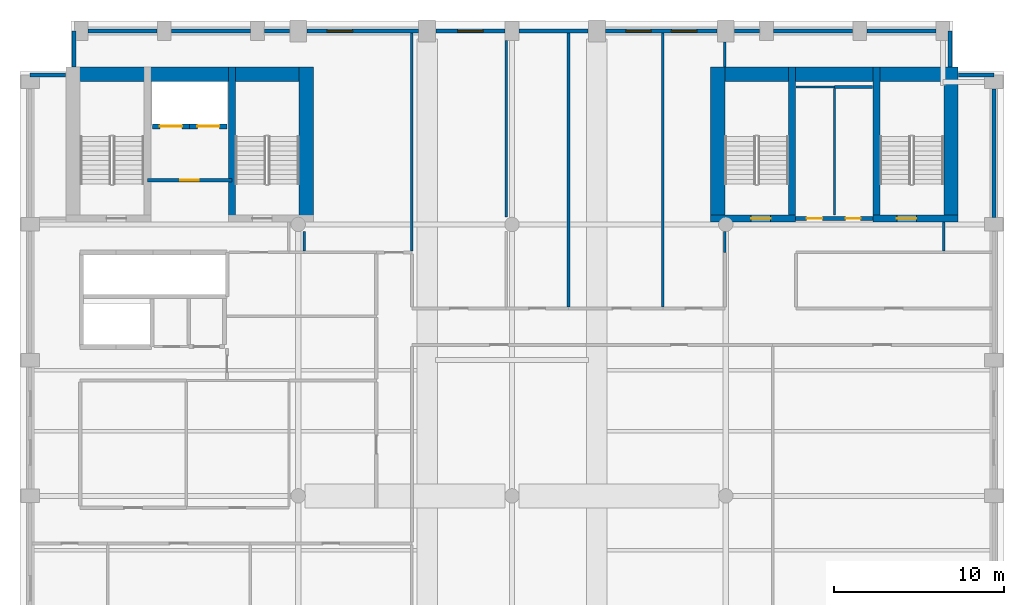
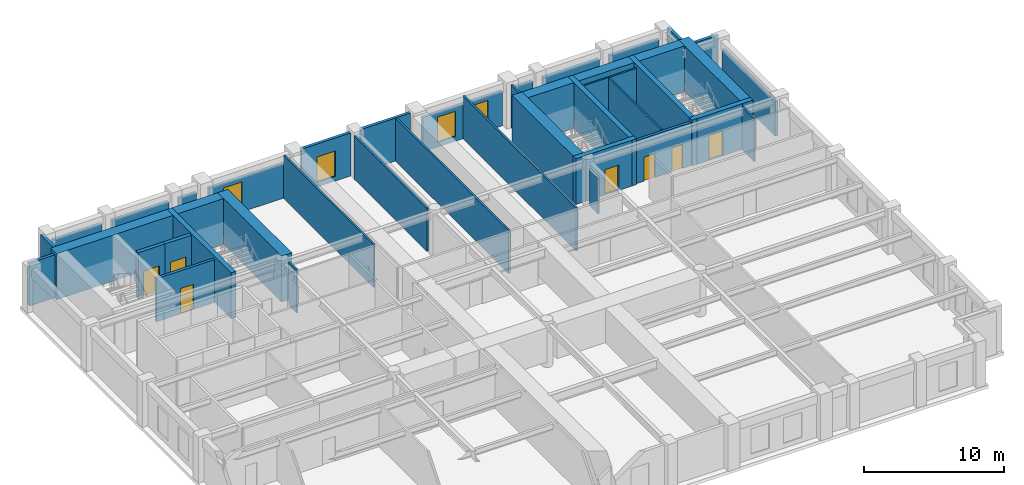
# One storey, part 5 of 8: 40 walls, 7 doors, 4 windows, 11 openings.
"""IFC4 building model written with IfcOpenShell, lengths in metres."""

from ifc_helpers import new_model, si_unit, direction, frame, frame_2d, origin, place, context, subcontext, project, spatial, rectangle, extrude, material, layer, layer_set, type_object, element, fill, save


model = new_model("IFC4")

# Units and contexts
model_context = context("Model", 3, precision=1e-05, world=origin(), true_north=direction((0.0, 1.0)))
body_context = subcontext(model_context, "Body", "Model", "MODEL_VIEW")
ifc_project = project(units=[si_unit("LENGTHUNIT", "METRE"), si_unit("AREAUNIT", "SQUARE_METRE"), si_unit("VOLUMEUNIT", "CUBIC_METRE"), si_unit("PLANEANGLEUNIT", "RADIAN"), si_unit("MASSUNIT", "GRAM", prefix="KILO")], contexts=[model_context])

# Site, building, storey
site_placement = place(None, origin())
site = spatial("IfcSite", under=ifc_project, at=site_placement, CompositionType="ELEMENT")
building_placement = place(site_placement, origin())
building = spatial("IfcBuilding", under=site, at=building_placement, Name="Sulina Concourse Tower", CompositionType="ELEMENT")
storey_placement = place(building_placement, frame((0.0, 0.0, 178.60009765625)))
storey = spatial("IfcBuildingStorey", under=building, at=storey_placement, Name="L43", CompositionType="ELEMENT", Elevation=178.60009765625)

# Wall, opening, door
ifc_material_1 = material(Name="Concrete C50/60", Category="concrete")
ifc_layer_1 = layer(ifc_material_1, 0.300048828125)
ifc_layer_set_1 = layer_set([ifc_layer_1], Name="Concrete C50/60")
wall_type_1 = type_object("IfcWallType", Name="Core Lift Hoistway Wall 300mm", PredefinedType="SOLIDWALL", material=ifc_layer_set_1)
wall_1_placement = place(storey_placement, frame((10.0, 39.780029296875, 0.0), z_axis=(0.0, 0.0, 1.0), x_axis=(-1.0, 0.0, 0.0)))
wall_1 = element("IfcWall", 1, at=wall_1_placement, inside=storey, type_object=wall_type_1, Name="L43 hoistway enclosure wall FFL-1", PredefinedType="SOLIDWALL", context=body_context, shape_type="SweptSolid", body=[
    extrude(rectangle(XDim=2.199951171875, YDim=0.300048828125, at=frame_2d((1.10009765625, 0.0))), origin(), (0.0, 0.0, 1.0), 4.0),
])
opening_1_placement = place(wall_1_placement, frame((0.449951171875, 0.0, 0.0)))
opening_1 = element("IfcOpeningElement", 2, at=opening_1_placement, cuts=wall_1, Name="Opening LD-02", PredefinedType="OPENING", context=body_context, shape_type="SweptSolid", body=[
    extrude(rectangle(XDim=1.300048828125, YDim=2.25, at=frame_2d((0.64990234375, 1.125))), frame((0.0, 0.159912109375, 0.0), z_axis=(0.0, -1.0, 0.0), x_axis=(1.0, 0.0, 0.0)), (0.0, 0.0, 1.0), 0.320068359375),
])
ifc_material_2 = material(Name="Stainless steel lift landing door", Category="steel")
ifc_layer_2 = layer(ifc_material_2, 0.050048828125)
ifc_layer_set_2 = layer_set([ifc_layer_2], Name="Stainless steel lift landing door")
door_type_1 = type_object("IfcDoorType", Name="Firefighting Lift Sliding Landing Door 1300x2250", OperationType="SLIDING_TO_RIGHT", PredefinedType="DOOR", material=ifc_layer_set_2)
door_1_placement = place(opening_1_placement, origin())
door_1 = element("IfcDoor", 3, at=door_1_placement, inside=storey, type_object=door_type_1, Name="L43 lift landing sliding door FFL-1", OperationType="SLIDING_TO_LEFT", OverallHeight=2.25, OverallWidth=1.300048828125, PredefinedType="DOOR", context=body_context, shape_type="SweptSolid", body=[
    extrude(rectangle(XDim=1.300048828125, YDim=2.25, at=frame_2d((0.64990234375, 1.125))), frame((0.0, 0.02490234375, 0.0), z_axis=(0.0, -1.0, 0.0), x_axis=(1.0, 0.0, 0.0)), (0.0, 0.0, 1.0), 0.050048828125),
])
fill(opening_1, door_1)

wall_2_placement = place(storey_placement, frame((12.199951171875, 39.780029296875, 0.0), z_axis=(0.0, 0.0, 1.0), x_axis=(-1.0, 0.0, 0.0)))
wall_2 = element("IfcWall", 4, at=wall_2_placement, inside=storey, type_object=wall_type_1, Name="L43 hoistway enclosure wall FFL-2", PredefinedType="SOLIDWALL", context=body_context, shape_type="SweptSolid", body=[
    extrude(rectangle(XDim=2.199951171875, YDim=0.300048828125, at=frame_2d((1.10009765625, 0.0))), origin(), (0.0, 0.0, 1.0), 4.0),
])
opening_2_placement = place(wall_2_placement, frame((0.449951171875, 0.0, 0.0)))
opening_2 = element("IfcOpeningElement", 5, at=opening_2_placement, cuts=wall_2, Name="Opening LD-02", PredefinedType="OPENING", context=body_context, shape_type="SweptSolid", body=[
    extrude(rectangle(XDim=1.300048828125, YDim=2.25, at=frame_2d((0.64990234375, 1.125))), frame((0.0, 0.159912109375, 0.0), z_axis=(0.0, -1.0, 0.0), x_axis=(1.0, 0.0, 0.0)), (0.0, 0.0, 1.0), 0.320068359375),
])
door_2_placement = place(opening_2_placement, origin())
door_2 = element("IfcDoor", 6, at=door_2_placement, inside=storey, type_object=door_type_1, Name="L43 lift landing sliding door FFL-2", OperationType="SLIDING_TO_RIGHT", OverallHeight=2.25, OverallWidth=1.300048828125, PredefinedType="DOOR", context=body_context, shape_type="SweptSolid", body=[
    extrude(rectangle(XDim=1.300048828125, YDim=2.25, at=frame_2d((0.64990234375, 1.125))), frame((0.0, 0.02490234375, 0.0), z_axis=(0.0, -1.0, 0.0), x_axis=(1.0, 0.0, 0.0)), (0.0, 0.0, 1.0), 0.050048828125),
])
fill(opening_2, door_2)

# Walls
ifc_material_3 = material(Name="Precast concrete C50/60", Category="concrete")
ifc_layer_3 = layer(ifc_material_3, 0.239990234375)
ifc_layer_set_3 = layer_set([ifc_layer_3], Name="Precast concrete C50/60")
wall_type_2 = type_object("IfcWallType", Name="Crown Precast Masonry-Frame Facade Wall 240mm", PredefinedType="SOLIDWALL", material=ifc_layer_set_3)
wall_3_placement = place(storey_placement, frame((4.02001953125, 45.39990234375, 0.0), z_axis=(0.0, 0.0, 1.0), x_axis=(1.0, 0.0, 0.0)))
element("IfcWall", 7, at=wall_3_placement, inside=storey, type_object=wall_type_2, Name="L43 exterior precast wall N1", PredefinedType="SOLIDWALL", context=body_context, shape_type="SweptSolid", body=[
    extrude(rectangle(XDim=4.06005859375, YDim=0.239990234375, at=frame_2d((2.030029296875, 0.0))), origin(), (0.0, 0.0, 1.0), 3.0),
])
wall_4_placement = place(storey_placement, frame((8.919921875, 45.39990234375, 0.0), z_axis=(0.0, 0.0, 1.0), x_axis=(1.0, 0.0, 0.0)))
element("IfcWall", 8, at=wall_4_placement, inside=storey, type_object=wall_type_2, Name="L43 exterior precast wall N2", PredefinedType="SOLIDWALL", context=body_context, shape_type="SweptSolid", body=[
    extrude(rectangle(XDim=4.66015625, YDim=0.239990234375, at=frame_2d((2.330078125, 0.0))), origin(), (0.0, 0.0, 1.0), 3.0),
])
wall_5_placement = place(storey_placement, frame((14.419921875, 45.39990234375, 0.0), z_axis=(0.0, 0.0, 1.0), x_axis=(1.0, 0.0, 0.0)))
element("IfcWall", 9, at=wall_5_placement, inside=storey, type_object=wall_type_2, Name="L43 exterior precast wall N3", PredefinedType="SOLIDWALL", context=body_context, shape_type="SweptSolid", body=[
    extrude(rectangle(XDim=1.4599609375, YDim=0.239990234375, at=frame_2d((0.72998046875, 0.0))), origin(), (0.0, 0.0, 1.0), 3.0),
])

# Wall, opening, window
wall_6_placement = place(storey_placement, frame((16.919921875, 45.39990234375, 0.0), z_axis=(0.0, 0.0, 1.0), x_axis=(1.0, 0.0, 0.0)))
wall_6 = element("IfcWall", 10, at=wall_6_placement, inside=storey, type_object=wall_type_2, Name="L43 exterior precast wall N4", PredefinedType="SOLIDWALL", context=body_context, shape_type="SweptSolid", body=[
    extrude(rectangle(XDim=6.56005859375, YDim=0.239990234375, at=frame_2d((3.280029296875, 0.0))), origin(), (0.0, 0.0, 1.0), 3.0),
])
opening_3_placement = place(wall_6_placement, frame((1.186767578125, 0.0, 0.419921875)))
opening_3 = element("IfcOpeningElement", 11, at=opening_3_placement, cuts=wall_6, Name="Opening WN-71", PredefinedType="OPENING", context=body_context, shape_type="SweptSolid", body=[
    extrude(rectangle(XDim=1.5, YDim=2.199951171875, at=frame_2d((0.75, 1.10009765625))), frame((0.0, 0.1298828125, 0.0), z_axis=(0.0, -1.0, 0.0), x_axis=(1.0, 0.0, 0.0)), (0.0, 0.0, 1.0), 0.260009765625),
])
ifc_material_4 = material(Name="Low-E solar double glazing in bronze aluminium", Category="aluminium")
window_type = type_object("IfcWindowType", Name="Punched Masonry-Frame Window 1500x2200", PartitioningType="SINGLE_PANEL", PredefinedType="WINDOW", material=ifc_material_4)
window_1_placement = place(opening_3_placement, origin())
window_1 = element("IfcWindow", 12, at=window_1_placement, inside=storey, type_object=window_type, Name="L43 punched window N4-1", OverallHeight=2.199951171875, OverallWidth=1.5, PartitioningType="SINGLE_PANEL", PredefinedType="WINDOW", context=body_context, shape_type="SweptSolid", body=[
    extrude(rectangle(XDim=1.5, YDim=2.199951171875, at=frame_2d((0.75, 1.10009765625))), frame((0.0, 0.030029296875, 0.0), z_axis=(0.0, -1.0, 0.0), x_axis=(1.0, 0.0, 0.0)), (0.0, 0.0, 1.0), 0.06005859375),
])
fill(opening_3, window_1)

wall_7_placement = place(storey_placement, frame((24.52001953125, 45.39990234375, 0.0), z_axis=(0.0, 0.0, 1.0), x_axis=(1.0, 0.0, 0.0)))
wall_7 = element("IfcWall", 13, at=wall_7_placement, inside=storey, type_object=wall_type_2, Name="L43 exterior precast wall N5", PredefinedType="SOLIDWALL", context=body_context, shape_type="SweptSolid", body=[
    extrude(rectangle(XDim=4.06005859375, YDim=0.239990234375, at=frame_2d((2.030029296875, 0.0))), origin(), (0.0, 0.0, 1.0), 3.75),
])
opening_4_placement = place(wall_7_placement, frame((1.280029296875, 0.0, 0.419921875)))
opening_4 = element("IfcOpeningElement", 14, at=opening_4_placement, cuts=wall_7, Name="Opening WN-71", PredefinedType="OPENING", context=body_context, shape_type="SweptSolid", body=[
    extrude(rectangle(XDim=1.5, YDim=2.199951171875, at=frame_2d((0.75, 1.10009765625))), frame((0.0, 0.1298828125, 0.0), z_axis=(0.0, -1.0, 0.0), x_axis=(1.0, 0.0, 0.0)), (0.0, 0.0, 1.0), 0.260009765625),
])
window_2_placement = place(opening_4_placement, origin())
window_2 = element("IfcWindow", 15, at=window_2_placement, inside=storey, type_object=window_type, Name="L43 punched window N5-1", OverallHeight=2.199951171875, OverallWidth=1.5, PartitioningType="SINGLE_PANEL", PredefinedType="WINDOW", context=body_context, shape_type="SweptSolid", body=[
    extrude(rectangle(XDim=1.5, YDim=2.199951171875, at=frame_2d((0.75, 1.10009765625))), frame((0.0, 0.030029296875, 0.0), z_axis=(0.0, -1.0, 0.0), x_axis=(1.0, 0.0, 0.0)), (0.0, 0.0, 1.0), 0.06005859375),
])
fill(opening_4, window_2)

# Wall
wall_8_placement = place(storey_placement, frame((29.419921875, 45.39990234375, 0.0), z_axis=(0.0, 0.0, 1.0), x_axis=(1.0, 0.0, 0.0)))
element("IfcWall", 16, at=wall_8_placement, inside=storey, type_object=wall_type_2, Name="L43 exterior precast wall N6", PredefinedType="SOLIDWALL", context=body_context, shape_type="SweptSolid", body=[
    extrude(rectangle(XDim=4.06005859375, YDim=0.239990234375, at=frame_2d((2.030029296875, 0.0))), origin(), (0.0, 0.0, 1.0), 3.75),
])

# Wall, openings, windows
wall_9_placement = place(storey_placement, frame((34.52001953125, 45.39990234375, 0.0), z_axis=(0.0, 0.0, 1.0), x_axis=(1.0, 0.0, 0.0)))
wall_9 = element("IfcWall", 17, at=wall_9_placement, inside=storey, type_object=wall_type_2, Name="L43 exterior precast wall N7", PredefinedType="SOLIDWALL", context=body_context, shape_type="SweptSolid", body=[
    extrude(rectangle(XDim=6.56005859375, YDim=0.239990234375, at=frame_2d((3.280029296875, 0.0))), origin(), (0.0, 0.0, 1.0), 3.0),
])
opening_5_placement = place(wall_9_placement, frame((1.186767578125, 0.0, 0.419921875)))
opening_5 = element("IfcOpeningElement", 18, at=opening_5_placement, cuts=wall_9, Name="Opening WN-71", PredefinedType="OPENING", context=body_context, shape_type="SweptSolid", body=[
    extrude(rectangle(XDim=1.5, YDim=2.199951171875, at=frame_2d((0.75, 1.10009765625))), frame((0.0, 0.1298828125, 0.0), z_axis=(0.0, -1.0, 0.0), x_axis=(1.0, 0.0, 0.0)), (0.0, 0.0, 1.0), 0.260009765625),
])
opening_6_placement = place(wall_9_placement, frame((3.873291015625, 0.0, 0.419921875)))
opening_6 = element("IfcOpeningElement", 19, at=opening_6_placement, cuts=wall_9, Name="Opening WN-71", PredefinedType="OPENING", context=body_context, shape_type="SweptSolid", body=[
    extrude(rectangle(XDim=1.5, YDim=2.199951171875, at=frame_2d((0.75, 1.10009765625))), frame((0.0, 0.1298828125, 0.0), z_axis=(0.0, -1.0, 0.0), x_axis=(1.0, 0.0, 0.0)), (0.0, 0.0, 1.0), 0.260009765625),
])
window_3_placement = place(opening_5_placement, origin())
window_3 = element("IfcWindow", 20, at=window_3_placement, inside=storey, type_object=window_type, Name="L43 punched window N7-1", OverallHeight=2.199951171875, OverallWidth=1.5, PartitioningType="SINGLE_PANEL", PredefinedType="WINDOW", context=body_context, shape_type="SweptSolid", body=[
    extrude(rectangle(XDim=1.5, YDim=2.199951171875, at=frame_2d((0.75, 1.10009765625))), frame((0.0, 0.030029296875, 0.0), z_axis=(0.0, -1.0, 0.0), x_axis=(1.0, 0.0, 0.0)), (0.0, 0.0, 1.0), 0.06005859375),
])
fill(opening_5, window_3)
window_4_placement = place(opening_6_placement, origin())
window_4 = element("IfcWindow", 21, at=window_4_placement, inside=storey, type_object=window_type, Name="L43 punched window N7-2", OverallHeight=2.199951171875, OverallWidth=1.5, PartitioningType="SINGLE_PANEL", PredefinedType="WINDOW", context=body_context, shape_type="SweptSolid", body=[
    extrude(rectangle(XDim=1.5, YDim=2.199951171875, at=frame_2d((0.75, 1.10009765625))), frame((0.0, 0.030029296875, 0.0), z_axis=(0.0, -1.0, 0.0), x_axis=(1.0, 0.0, 0.0)), (0.0, 0.0, 1.0), 0.06005859375),
])
fill(opening_6, window_4)

# Walls
wall_10_placement = place(storey_placement, frame((42.1201171875, 45.39990234375, 0.0), z_axis=(0.0, 0.0, 1.0), x_axis=(1.0, 0.0, 0.0)))
element("IfcWall", 22, at=wall_10_placement, inside=storey, type_object=wall_type_2, Name="L43 exterior precast wall N8", PredefinedType="SOLIDWALL", context=body_context, shape_type="SweptSolid", body=[
    extrude(rectangle(XDim=1.4599609375, YDim=0.239990234375, at=frame_2d((0.72998046875, 0.0))), origin(), (0.0, 0.0, 1.0), 3.0),
])
wall_11_placement = place(storey_placement, frame((44.419921875, 45.39990234375, 0.0), z_axis=(0.0, 0.0, 1.0), x_axis=(1.0, 0.0, 0.0)))
element("IfcWall", 23, at=wall_11_placement, inside=storey, type_object=wall_type_2, Name="L43 exterior precast wall N9", PredefinedType="SOLIDWALL", context=body_context, shape_type="SweptSolid", body=[
    extrude(rectangle(XDim=4.66015625, YDim=0.239990234375, at=frame_2d((2.330078125, 0.0))), origin(), (0.0, 0.0, 1.0), 3.0),
])
wall_12_placement = place(storey_placement, frame((49.919921875, 45.39990234375, 0.0), z_axis=(0.0, 0.0, 1.0), x_axis=(1.0, 0.0, 0.0)))
element("IfcWall", 24, at=wall_12_placement, inside=storey, type_object=wall_type_2, Name="L43 exterior precast wall N10", PredefinedType="SOLIDWALL", context=body_context, shape_type="SweptSolid", body=[
    extrude(rectangle(XDim=4.06005859375, YDim=0.239990234375, at=frame_2d((2.030029296875, 0.0))), origin(), (0.0, 0.0, 1.0), 3.0),
])
wall_13_placement = place(storey_placement, frame((57.39990234375, 41.97998046875, 0.0), z_axis=(0.0, 0.0, 1.0), x_axis=(0.0, -1.0, 0.0)))
element("IfcWall", 25, at=wall_13_placement, inside=storey, type_object=wall_type_2, Name="L43 exterior precast wall E5", PredefinedType="SOLIDWALL", context=body_context, shape_type="SweptSolid", body=[
    extrude(rectangle(XDim=7.56005859375, YDim=0.239990234375, at=frame_2d((3.780029296875, 0.0))), origin(), (0.0, 0.0, 1.0), 3.0),
])
wall_14_placement = place(storey_placement, frame((0.60009765625, 42.820068359375, 0.0), z_axis=(0.0, 0.0, 1.0), x_axis=(1.0, 0.0, 0.0)))
element("IfcWall", 26, at=wall_14_placement, inside=storey, type_object=wall_type_2, Name="L43 exterior precast wall CNW1", PredefinedType="SOLIDWALL", context=body_context, shape_type="SweptSolid", body=[
    extrude(rectangle(XDim=2.094970703125, YDim=0.239990234375, at=frame_2d((1.04736328125, 0.0))), origin(), (0.0, 0.0, 1.0), 3.75),
])
for number, where, z_axis, x_axis, name in (
    (27, (3.179931640625, 43.284912109375, 0.0), (0.0, 0.0, 1.0), (0.0, 1.0, 0.0), "L43 exterior precast wall CNW2"),
    (28, (54.820068359375, 45.39990234375, 0.0), (0.0, 0.0, 1.0), (0.0, -1.0, 0.0), "L43 exterior precast wall CNE1"),
):
    element("IfcWall", number, at=place(storey_placement, frame(where, z_axis=z_axis, x_axis=x_axis)), inside=storey, type_object=wall_type_2, Name=name, PredefinedType="SOLIDWALL", context=body_context, shape_type="SweptSolid", body=[
        extrude(rectangle(XDim=2.114990234375, YDim=0.239990234375, at=frame_2d((1.0576171875, 0.0))), origin(), (0.0, 0.0, 1.0), 3.75),
    ])
wall_15_placement = place(storey_placement, frame((55.304931640625, 42.820068359375, 0.0), z_axis=(0.0, 0.0, 1.0), x_axis=(1.0, 0.0, 0.0)))
element("IfcWall", 29, at=wall_15_placement, inside=storey, type_object=wall_type_2, Name="L43 exterior precast wall CNE2", PredefinedType="SOLIDWALL", context=body_context, shape_type="SweptSolid", body=[
    extrude(rectangle(XDim=2.094970703125, YDim=0.239990234375, at=frame_2d((1.04736328125, 0.0))), origin(), (0.0, 0.0, 1.0), 3.75),
])

# Wall, opening, door
ifc_material_5 = material(Name="Gypsum board on steel stud", Category="steel")
ifc_layer_4 = layer(ifc_material_5, 0.219970703125)
ifc_layer_set_4 = layer_set([ifc_layer_4], Name="Gypsum board on steel stud")
wall_type_3 = type_object("IfcWallType", Name="Fire-Rated Lobby & Compartment Wall 220mm", PredefinedType="PARTITIONING", material=ifc_layer_set_4)
wall_16_placement = place(storey_placement, frame((7.510009765625, 36.60009765625, 0.0), z_axis=(0.0, 0.0, 1.0), x_axis=(1.0, 0.0, 0.0)))
wall_16 = element("IfcWall", 30, at=wall_16_placement, inside=storey, type_object=wall_type_3, Name="L43 firefighting lobby south fire wall", PredefinedType="PARTITIONING", context=body_context, shape_type="SweptSolid", body=[
    extrude(rectangle(XDim=4.97998046875, YDim=0.219970703125, at=frame_2d((2.489990234375, 0.0))), origin(), (0.0, 0.0, 1.0), 3.75),
])
opening_7_placement = place(wall_16_placement, frame((1.93994140625, 0.0, 0.0)))
opening_7 = element("IfcOpeningElement", 31, at=opening_7_placement, cuts=wall_16, Name="Opening DR-47", PredefinedType="OPENING", context=body_context, shape_type="SweptSolid", body=[
    extrude(rectangle(XDim=1.10009765625, YDim=2.199951171875, at=frame_2d((0.550048828125, 1.10009765625))), frame((0.0, 0.119873046875, 0.0), z_axis=(0.0, -1.0, 0.0), x_axis=(1.0, 0.0, 0.0)), (0.0, 0.0, 1.0), 0.239990234375),
])
ifc_material_6 = material(Name="Galvanised steel acoustic fire leaf", Category="steel")
ifc_layer_5 = layer(ifc_material_6, 0.054931640625)
ifc_layer_set_5 = layer_set([ifc_layer_5], Name="Galvanised steel acoustic fire leaf")
door_type_2 = type_object("IfcDoorType", Name="Firefighting Lobby Fire Door 1100x2200", OperationType="NOTDEFINED", PredefinedType="DOOR", material=ifc_layer_set_5)
door_3_placement = place(opening_7_placement, origin())
door_3 = element("IfcDoor", 32, at=door_3_placement, inside=storey, type_object=door_type_2, Name="L43 firefighting lobby fire door", OperationType="SINGLE_SWING_RIGHT", OverallHeight=2.199951171875, OverallWidth=1.10009765625, PredefinedType="DOOR", context=body_context, shape_type="SweptSolid", body=[
    extrude(rectangle(XDim=1.10009765625, YDim=2.199951171875, at=frame_2d((0.550048828125, 1.10009765625))), frame((0.0, 0.02490234375, 0.0), z_axis=(0.0, -1.0, 0.0), x_axis=(1.0, 0.0, 0.0)), (0.0, 0.0, 1.0), 0.050048828125),
])
fill(opening_7, door_3)

# Wall, openings, doors
wall_17_placement = place(storey_placement, frame((45.719970703125, 34.35009765625, 0.0), z_axis=(0.0, 0.0, 1.0), x_axis=(1.0, 0.0, 0.0)))
wall_17 = element("IfcWall", 33, at=wall_17_placement, inside=storey, type_object=wall_type_3, Name="L43 east core south lobby wall", PredefinedType="PARTITIONING", context=body_context, shape_type="SweptSolid", body=[
    extrude(rectangle(XDim=4.56005859375, YDim=0.219970703125, at=frame_2d((2.280029296875, 0.0))), origin(), (0.0, 0.0, 1.0), 3.75),
])
opening_8_placement = place(wall_17_placement, frame((0.64990234375, 0.0, 0.0)))
opening_8 = element("IfcOpeningElement", 34, at=opening_8_placement, cuts=wall_17, Name="Opening DR-61", PredefinedType="OPENING", context=body_context, shape_type="SweptSolid", body=[
    extrude(rectangle(XDim=0.919921875, YDim=2.10009765625, at=frame_2d((0.4599609375, 1.050048828125))), frame((0.0, 0.119873046875, 0.0), z_axis=(0.0, -1.0, 0.0), x_axis=(1.0, 0.0, 0.0)), (0.0, 0.0, 1.0), 0.239990234375),
])
opening_9_placement = place(wall_17_placement, frame((2.949951171875, 0.0, 0.0)))
opening_9 = element("IfcOpeningElement", 35, at=opening_9_placement, cuts=wall_17, Name="Opening DR-38", PredefinedType="OPENING", context=body_context, shape_type="SweptSolid", body=[
    extrude(rectangle(XDim=0.8798828125, YDim=2.10009765625, at=frame_2d((0.43994140625, 1.050048828125))), frame((0.0, 0.119873046875, 0.0), z_axis=(0.0, -1.0, 0.0), x_axis=(1.0, 0.0, 0.0)), (0.0, 0.0, 1.0), 0.239990234375),
])
ifc_material_7 = material(Name="Oak-veneered fire door leaf")
ifc_layer_6 = layer(ifc_material_7, 0.050048828125)
ifc_layer_set_6 = layer_set([ifc_layer_6], Name="Oak-veneered fire door leaf")
door_type_3 = type_object("IfcDoorType", Name="Accessible WC Door 920x2100", OperationType="NOTDEFINED", PredefinedType="DOOR", material=ifc_layer_set_6)
door_4_placement = place(opening_8_placement, origin())
door_4 = element("IfcDoor", 36, at=door_4_placement, inside=storey, type_object=door_type_3, Name="L43 east core accessible wc door", OperationType="SINGLE_SWING_RIGHT", OverallHeight=2.10009765625, OverallWidth=0.919921875, PredefinedType="DOOR", context=body_context, shape_type="SweptSolid", body=[
    extrude(rectangle(XDim=0.919921875, YDim=2.10009765625, at=frame_2d((0.4599609375, 1.050048828125))), frame((0.0, 0.02490234375, 0.0), z_axis=(0.0, -1.0, 0.0), x_axis=(1.0, 0.0, 0.0)), (0.0, 0.0, 1.0), 0.050048828125),
])
fill(opening_8, door_4)
ifc_material_8 = material(Name="Galvanised steel acoustic fire leaf", Category="steel")
ifc_layer_7 = layer(ifc_material_8, 0.050048828125)
ifc_layer_set_7 = layer_set([ifc_layer_7], Name="Galvanised steel acoustic fire leaf")
door_type_4 = type_object("IfcDoorType", Name="Service Riser Fire Door 880x2100", OperationType="NOTDEFINED", PredefinedType="DOOR", material=ifc_layer_set_7)
door_5_placement = place(opening_9_placement, origin())
door_5 = element("IfcDoor", 37, at=door_5_placement, inside=storey, type_object=door_type_4, Name="L43 east core store door", OperationType="SINGLE_SWING_LEFT", OverallHeight=2.10009765625, OverallWidth=0.8798828125, PredefinedType="DOOR", context=body_context, shape_type="SweptSolid", body=[
    extrude(rectangle(XDim=0.8798828125, YDim=2.10009765625, at=frame_2d((0.43994140625, 1.050048828125))), frame((0.0, 0.02490234375, 0.0), z_axis=(0.0, -1.0, 0.0), x_axis=(1.0, 0.0, 0.0)), (0.0, 0.0, 1.0), 0.050048828125),
])
fill(opening_9, door_5)

# Walls
ifc_material_9 = material(Name="Gypsum board on steel stud", Category="steel")
ifc_layer_8 = layer(ifc_material_9, 0.14990234375)
ifc_layer_set_8 = layer_set([ifc_layer_8], Name="Gypsum board on steel stud")
wall_type_4 = type_object("IfcWallType", Name="Inter-Tenancy Acoustic Partition 150mm", PredefinedType="PARTITIONING", material=ifc_layer_set_8)
wall_18_placement = place(storey_placement, frame((48.0, 42.10009765625, 0.0), z_axis=(0.0, 0.0, 1.0), x_axis=(1.0, 0.0, 0.0)))
element("IfcWall", 38, at=wall_18_placement, inside=storey, type_object=wall_type_4, Name="L43 interior partition 029", PredefinedType="PARTITIONING", context=body_context, shape_type="SweptSolid", body=[
    extrude(rectangle(XDim=2.25, YDim=0.14990234375, at=frame_2d((1.125, 0.0))), origin(), (0.0, 0.0, 1.0), 3.75),
])
wall_19_placement = place(storey_placement, frame((16.75, 32.425048828125, 0.0), z_axis=(0.0, 0.0, 1.0), x_axis=(0.0, 1.0, 0.0)))
element("IfcWall", 39, at=wall_19_placement, inside=storey, type_object=wall_type_4, Name="L43 interior partition 039", PredefinedType="PARTITIONING", context=body_context, shape_type="SweptSolid", body=[
    extrude(rectangle(XDim=1.14990234375, YDim=0.14990234375, at=frame_2d((0.574951171875, 0.0))), origin(), (0.0, 0.0, 1.0), 3.75),
])
wall_20_placement = place(storey_placement, frame((23.10009765625, 32.43994140625, 0.0), z_axis=(0.0, 0.0, 1.0), x_axis=(0.0, 1.0, 0.0)))
element("IfcWall", 40, at=wall_20_placement, inside=storey, type_object=wall_type_4, Name="L43 interior partition 047", PredefinedType="PARTITIONING", context=body_context, shape_type="SweptSolid", body=[
    extrude(rectangle(XDim=12.840087890625, YDim=0.14990234375, at=frame_2d((6.419921875, 0.0))), origin(), (0.0, 0.0, 1.0), 3.75),
])
wall_21_placement = place(storey_placement, frame((28.659912109375, 34.425048828125, 0.0), z_axis=(0.0, 0.0, 1.0), x_axis=(0.0, 1.0, 0.0)))
element("IfcWall", 41, at=wall_21_placement, inside=storey, type_object=wall_type_4, Name="L43 interior partition 049", PredefinedType="PARTITIONING", context=body_context, shape_type="SweptSolid", body=[
    extrude(rectangle(XDim=10.425048828125, YDim=0.14990234375, at=frame_2d((5.21240234375, 0.0))), origin(), (0.0, 0.0, 1.0), 3.75),
])
for number, where, z_axis, x_axis, name in (
    (42, (32.330078125, 29.139892578125, 0.0), (0.0, 0.0, 1.0), (0.0, 1.0, 0.0), "L43 interior partition 050"),
    (43, (37.889892578125, 29.139892578125, 0.0), (0.0, 0.0, 1.0), (0.0, 1.0, 0.0), "L43 interior partition 051"),
):
    element("IfcWall", number, at=place(storey_placement, frame(where, z_axis=z_axis, x_axis=x_axis)), inside=storey, type_object=wall_type_4, Name=name, PredefinedType="PARTITIONING", context=body_context, shape_type="SweptSolid", body=[
        extrude(rectangle(XDim=16.14013671875, YDim=0.14990234375, at=frame_2d((8.070068359375, 0.0))), origin(), (0.0, 0.0, 1.0), 3.75),
    ])
wall_22_placement = place(storey_placement, frame((41.550048828125, 32.35009765625, 0.0), z_axis=(0.0, 0.0, 1.0), x_axis=(0.0, 1.0, 0.0)))
element("IfcWall", 44, at=wall_22_placement, inside=storey, type_object=wall_type_4, Name="L43 interior partition 053", PredefinedType="PARTITIONING", context=body_context, shape_type="SweptSolid", body=[
    extrude(rectangle(XDim=1.224853515625, YDim=0.14990234375, at=frame_2d((0.6123046875, 0.0))), origin(), (0.0, 0.0, 1.0), 3.14501953125),
])
wall_23_placement = place(storey_placement, frame((41.550048828125, 43.280029296875, 0.0), z_axis=(0.0, 0.0, 1.0), x_axis=(0.0, 1.0, 0.0)))
element("IfcWall", 45, at=wall_23_placement, inside=storey, type_object=wall_type_4, Name="L43 interior partition 054", PredefinedType="PARTITIONING", context=body_context, shape_type="SweptSolid", body=[
    extrude(rectangle(XDim=1.469970703125, YDim=0.14990234375, at=frame_2d((0.73486328125, 0.0))), origin(), (0.0, 0.0, 1.0), 3.75),
])
wall_24_placement = place(storey_placement, frame((54.449951171875, 32.425048828125, 0.0), z_axis=(0.0, 0.0, 1.0), x_axis=(0.0, 1.0, 0.0)))
element("IfcWall", 46, at=wall_24_placement, inside=storey, type_object=wall_type_4, Name="L43 interior partition 058", PredefinedType="PARTITIONING", context=body_context, shape_type="SweptSolid", body=[
    extrude(rectangle(XDim=1.724853515625, YDim=0.14990234375, at=frame_2d((0.8623046875, 0.0))), origin(), (0.0, 0.0, 1.0), 3.75),
])
ifc_material_10 = material(Name="Concrete C60/75", Category="concrete")
ifc_layer_9 = layer(ifc_material_10, 0.39990234375)
ifc_layer_set_9 = layer_set([ifc_layer_9], Name="Concrete C60/75")
wall_type_5 = type_object("IfcWallType", Name="Protected Stair Core Shear Wall 400mm", PredefinedType="SHEAR", material=ifc_layer_set_9)
wall_25_placement = place(storey_placement, frame((12.489990234375, 34.14990234375, 0.0), z_axis=(0.0, 0.0, 1.0), x_axis=(0.0, 1.0, 0.0)))
element("IfcWall", 47, at=wall_25_placement, inside=storey, type_object=wall_type_5, Name="L43 west core shear wall SW-ST2", PredefinedType="SHEAR", context=body_context, shape_type="SweptSolid", body=[
    extrude(rectangle(XDim=9.130126953125, YDim=0.39990234375, at=frame_2d((4.56494140625, 0.0))), origin(), (0.0, 0.0, 1.0), 4.0),
])

# Wall, opening, door
wall_26_placement = place(storey_placement, frame((40.699951171875, 34.35009765625, 0.0), z_axis=(0.0, 0.0, 1.0), x_axis=(1.0, 0.0, 0.0)))
wall_26 = element("IfcWall", 48, at=wall_26_placement, inside=storey, type_object=wall_type_5, Name="L43 east core shear wall CW-ES1", PredefinedType="SHEAR", context=body_context, shape_type="SweptSolid", body=[
    extrude(rectangle(XDim=5.010009765625, YDim=0.39990234375, at=frame_2d((2.5048828125, 0.0))), origin(), (0.0, 0.0, 1.0), 4.0),
])
opening_10_placement = place(wall_26_placement, frame((2.39990234375, 0.0, 0.0)))
opening_10 = element("IfcOpeningElement", 49, at=opening_10_placement, cuts=wall_26, Name="Opening DR-60", PredefinedType="OPENING", context=body_context, shape_type="SweptSolid", body=[
    extrude(rectangle(XDim=1.14990234375, YDim=2.199951171875, at=frame_2d((0.574951171875, 1.10009765625))), frame((0.0, 0.2099609375, 0.0), z_axis=(0.0, -1.0, 0.0), x_axis=(1.0, 0.0, 0.0)), (0.0, 0.0, 1.0), 0.419921875),
])
ifc_material_11 = material(Name="Galvanised steel acoustic fire leaf", Category="steel")
ifc_layer_10 = layer(ifc_material_11, 0.054931640625)
ifc_layer_set_10 = layer_set([ifc_layer_10], Name="Galvanised steel acoustic fire leaf")
door_type_5 = type_object("IfcDoorType", Name="Protected Exit Stair Fire Door 1150x2200", OperationType="NOTDEFINED", PredefinedType="DOOR", material=ifc_layer_set_10)
door_6_placement = place(opening_10_placement, origin())
door_6 = element("IfcDoor", 50, at=door_6_placement, inside=storey, type_object=door_type_5, Name="L43 stair ST-3 south lobby fire door", OperationType="SINGLE_SWING_LEFT", OverallHeight=2.199951171875, OverallWidth=1.14990234375, PredefinedType="DOOR", context=body_context, shape_type="SweptSolid", body=[
    extrude(rectangle(XDim=1.14990234375, YDim=2.199951171875, at=frame_2d((0.574951171875, 1.10009765625))), frame((0.0, 0.02490234375, 0.0), z_axis=(0.0, -1.0, 0.0), x_axis=(1.0, 0.0, 0.0)), (0.0, 0.0, 1.0), 0.050048828125),
])
fill(opening_10, door_6)

# Wall
wall_27_placement = place(storey_placement, frame((45.510009765625, 34.14990234375, 0.0), z_axis=(0.0, 0.0, 1.0), x_axis=(0.0, 1.0, 0.0)))
element("IfcWall", 51, at=wall_27_placement, inside=storey, type_object=wall_type_5, Name="L43 east core shear wall SW-ST3", PredefinedType="SHEAR", context=body_context, shape_type="SweptSolid", body=[
    extrude(rectangle(XDim=9.130126953125, YDim=0.39990234375, at=frame_2d((4.56494140625, 0.0))), origin(), (0.0, 0.0, 1.0), 4.0),
])

# Wall, opening, door
wall_28_placement = place(storey_placement, frame((50.2900390625, 34.35009765625, 0.0), z_axis=(0.0, 0.0, 1.0), x_axis=(1.0, 0.0, 0.0)))
wall_28 = element("IfcWall", 52, at=wall_28_placement, inside=storey, type_object=wall_type_5, Name="L43 east core shear wall CW-ES2", PredefinedType="SHEAR", context=body_context, shape_type="SweptSolid", body=[
    extrude(rectangle(XDim=5.010009765625, YDim=0.39990234375, at=frame_2d((2.5048828125, 0.0))), origin(), (0.0, 0.0, 1.0), 4.0),
])
opening_11_placement = place(wall_28_placement, frame((1.39990234375, 0.0, 0.0)))
opening_11 = element("IfcOpeningElement", 53, at=opening_11_placement, cuts=wall_28, Name="Opening DR-60", PredefinedType="OPENING", context=body_context, shape_type="SweptSolid", body=[
    extrude(rectangle(XDim=1.14990234375, YDim=2.199951171875, at=frame_2d((0.574951171875, 1.10009765625))), frame((0.0, 0.2099609375, 0.0), z_axis=(0.0, -1.0, 0.0), x_axis=(1.0, 0.0, 0.0)), (0.0, 0.0, 1.0), 0.419921875),
])
door_7_placement = place(opening_11_placement, origin())
door_7 = element("IfcDoor", 54, at=door_7_placement, inside=storey, type_object=door_type_5, Name="L43 stair ST-4 south lobby fire door", OperationType="SINGLE_SWING_RIGHT", OverallHeight=2.199951171875, OverallWidth=1.14990234375, PredefinedType="DOOR", context=body_context, shape_type="SweptSolid", body=[
    extrude(rectangle(XDim=1.14990234375, YDim=2.199951171875, at=frame_2d((0.574951171875, 1.10009765625))), frame((0.0, 0.02490234375, 0.0), z_axis=(0.0, -1.0, 0.0), x_axis=(1.0, 0.0, 0.0)), (0.0, 0.0, 1.0), 0.050048828125),
])
fill(opening_11, door_7)

# Walls
wall_29_placement = place(storey_placement, frame((50.489990234375, 34.14990234375, 0.0), z_axis=(0.0, 0.0, 1.0), x_axis=(0.0, 1.0, 0.0)))
element("IfcWall", 55, at=wall_29_placement, inside=storey, type_object=wall_type_5, Name="L43 east core shear wall SW-ST4", PredefinedType="SHEAR", context=body_context, shape_type="SweptSolid", body=[
    extrude(rectangle(XDim=9.130126953125, YDim=0.39990234375, at=frame_2d((4.56494140625, 0.0))), origin(), (0.0, 0.0, 1.0), 4.0),
])
ifc_material_12 = material(Name="Concrete C60/75", Category="concrete")
ifc_layer_11 = layer(ifc_material_12, 0.85009765625)
ifc_layer_set_11 = layer_set([ifc_layer_11], Name="Concrete C60/75")
wall_type_6 = type_object("IfcWallType", Name="Rear Core Shear Wall 850mm", PredefinedType="SHEAR", material=ifc_layer_set_11)
wall_30_placement = place(storey_placement, frame((2.699951171875, 42.85498046875, 0.0), z_axis=(0.0, 0.0, 1.0), x_axis=(1.0, 0.0, 0.0)))
element("IfcWall", 56, at=wall_30_placement, inside=storey, type_object=wall_type_6, Name="L43 west core shear wall CW-WN", PredefinedType="SHEAR", context=body_context, shape_type="SweptSolid", body=[
    extrude(rectangle(XDim=14.60009765625, YDim=0.85009765625, at=frame_2d((7.300048828125, 0.0))), origin(), (0.0, 0.0, 1.0), 4.0),
])
wall_31_placement = place(storey_placement, frame((16.875, 34.14990234375, 0.0), z_axis=(0.0, 0.0, 1.0), x_axis=(0.0, 1.0, 0.0)))
element("IfcWall", 57, at=wall_31_placement, inside=storey, type_object=wall_type_6, Name="L43 west core shear wall CW-WE", PredefinedType="SHEAR", context=body_context, shape_type="SweptSolid", body=[
    extrude(rectangle(XDim=9.130126953125, YDim=0.85009765625, at=frame_2d((4.56494140625, 0.0))), origin(), (0.0, 0.0, 1.0), 4.0),
])
wall_32_placement = place(storey_placement, frame((40.699951171875, 42.85498046875, 0.0), z_axis=(0.0, 0.0, 1.0), x_axis=(1.0, 0.0, 0.0)))
element("IfcWall", 58, at=wall_32_placement, inside=storey, type_object=wall_type_6, Name="L43 east core shear wall CW-EN", PredefinedType="SHEAR", context=body_context, shape_type="SweptSolid", body=[
    extrude(rectangle(XDim=14.60009765625, YDim=0.85009765625, at=frame_2d((7.300048828125, 0.0))), origin(), (0.0, 0.0, 1.0), 4.0),
])
for number, where, z_axis, x_axis, name in (
    (59, (41.125, 34.14990234375, 0.0), (0.0, 0.0, 1.0), (0.0, 1.0, 0.0), "L43 east core shear wall CW-EW"),
    (60, (54.875, 34.14990234375, 0.0), (0.0, 0.0, 1.0), (0.0, 1.0, 0.0), "L43 east core shear wall CW-EE"),
):
    element("IfcWall", number, at=place(storey_placement, frame(where, z_axis=z_axis, x_axis=x_axis)), inside=storey, type_object=wall_type_6, Name=name, PredefinedType="SHEAR", context=body_context, shape_type="SweptSolid", body=[
        extrude(rectangle(XDim=9.130126953125, YDim=0.85009765625, at=frame_2d((4.56494140625, 0.0))), origin(), (0.0, 0.0, 1.0), 4.0),
    ])
ifc_material_13 = material(Name="Gypsum board on steel stud", Category="steel")
ifc_layer_12 = layer(ifc_material_13, 0.125)
ifc_layer_set_12 = layer_set([ifc_layer_12], Name="Gypsum board on steel stud")
wall_type_7 = type_object("IfcWallType", Name="Wet-Area Moisture-Resistant Partition 125mm", PredefinedType="PARTITIONING", material=ifc_layer_set_12)
wall_33_placement = place(storey_placement, frame((45.75, 42.10009765625, 0.0), z_axis=(0.0, 0.0, 1.0), x_axis=(1.0, 0.0, 0.0)))
element("IfcWall", 61, at=wall_33_placement, inside=storey, type_object=wall_type_7, Name="L43 interior partition 028", PredefinedType="PARTITIONING", context=body_context, shape_type="SweptSolid", body=[
    extrude(rectangle(XDim=2.25, YDim=0.125, at=frame_2d((1.125, 0.0))), origin(), (0.0, 0.0, 1.0), 3.75),
])
wall_34_placement = place(storey_placement, frame((48.0, 34.550048828125, 0.0), z_axis=(0.0, 0.0, 1.0), x_axis=(0.0, 1.0, 0.0)))
element("IfcWall", 62, at=wall_34_placement, inside=storey, type_object=wall_type_7, Name="L43 interior partition 057", PredefinedType="PARTITIONING", context=body_context, shape_type="SweptSolid", body=[
    extrude(rectangle(XDim=7.474853515625, YDim=0.125, at=frame_2d((3.7373046875, 0.0))), origin(), (0.0, 0.0, 1.0), 3.75),
])

save(model, "model.ifc")
